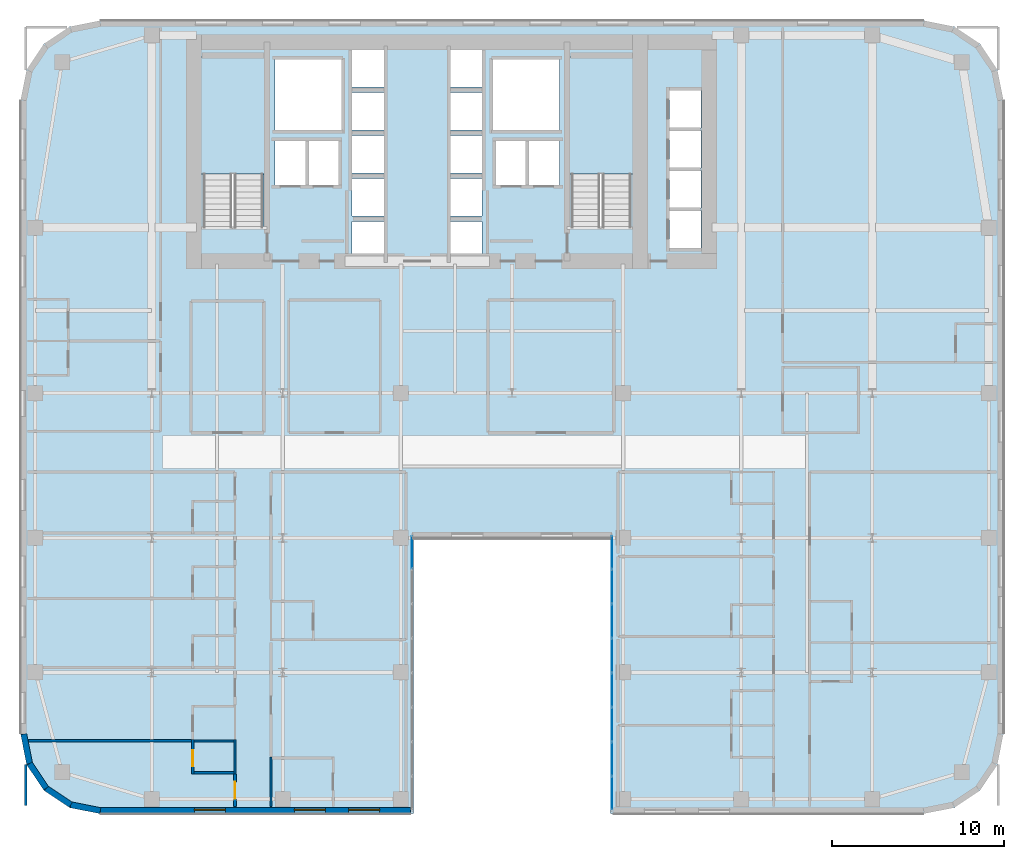
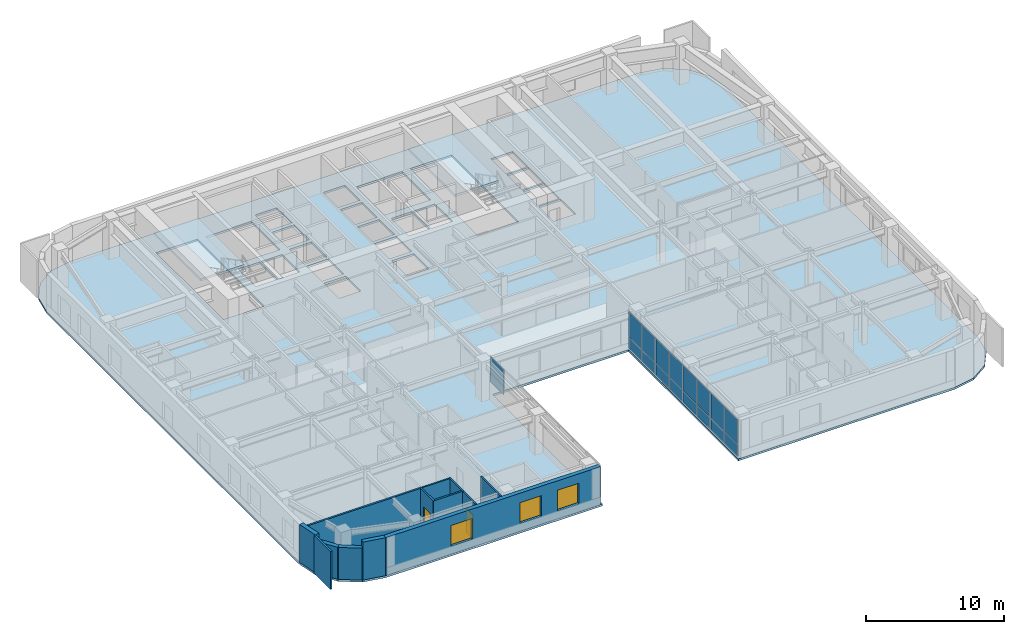
# One storey, part 13 of 24: 17 plates, 13 walls, 3 slabs, 3 windows, 2 doors, 5 openings, 4 elements without a shape of their own.
"""IFC4 building model written with IfcOpenShell, lengths in metres."""

import ifcopenshell
import ifcopenshell.guid

model = None  # the IFC model being written
_history = None  # IfcOwnerHistory: only IFC2X3 demands one
_inside = {}  # id of a spatial element -> (the spatial element, [elements in it])
_under = {}  # id of a project, library or spatial element -> (it, [spatial elements below it])
_declared = {}  # id of a project -> (the project, [libraries it declares])
_typed = {}  # id of a type object -> (the type object, [elements of that type])
_made_of = {}  # id of a material, layer set ... -> (it, [elements and type objects made of it])


def new_model(schema):
    """Start an empty IFC model of exactly this schema.

    Asked for "IFC4X3", IfcOpenShell would pick the latest addendum, in which some entities
    have other attributes; the version numbers below select the first issue.
    IFC2X3 requires an IfcOwnerHistory on every rooted entity: one is made here for all.
    """
    global model, _history
    if schema == "IFC4X3":
        model = ifcopenshell.file(schema_version=(4, 3, 0, 0))
    else:
        model = ifcopenshell.file(schema=schema)
    _inside.clear()
    _under.clear()
    _declared.clear()
    _typed.clear()
    _made_of.clear()
    _history = None
    if model.schema == "IFC2X3":
        org = make("IfcOrganization", Name="unknown")
        user = make(
            "IfcPersonAndOrganization",
            ThePerson=make("IfcPerson", FamilyName="unknown"),
            TheOrganization=org,
        )
        app = make(
            "IfcApplication",
            ApplicationDeveloper=org,
            Version="unknown",
            ApplicationFullName="unknown",
            ApplicationIdentifier="unknown",
        )
        _history = make(
            "IfcOwnerHistory",
            OwningUser=user,
            OwningApplication=app,
            ChangeAction="ADDED",
            CreationDate=0,
        )
    return model


def make(cls, **values):
    """One entity of the class cls with the attributes given. An attribute that is None is left unset."""
    return model.create_entity(
        cls, **{name: value for name, value in values.items() if value is not None}
    )


def rooted(cls, **values):
    """An entity with a GlobalId (a new one), such as an element, a storey or a relation."""
    return make(cls, GlobalId=ifcopenshell.guid.new(), OwnerHistory=_history, **values)


def si_unit(unit_type, name, prefix=None):
    """IfcSIUnit, for example si_unit("LENGTHUNIT", "METRE", prefix="MILLI")."""
    return make("IfcSIUnit", UnitType=unit_type, Prefix=prefix, Name=name)


def assignment(units):
    """IfcUnitAssignment: the units of a project."""
    return None if units is None else make("IfcUnitAssignment", Units=units)


def point(xyz):
    """IfcCartesianPoint."""
    return None if xyz is None else make("IfcCartesianPoint", Coordinates=xyz)


def direction(xyz):
    """IfcDirection."""
    return None if xyz is None else make("IfcDirection", DirectionRatios=xyz)


def frame(location, z_axis=None, x_axis=None):
    """IfcAxis2Placement3D, a coordinate frame: its origin and axes. An axis left out is left unset."""
    return make(
        "IfcAxis2Placement3D",
        Location=point(location),
        Axis=direction(z_axis),
        RefDirection=direction(x_axis),
    )


def frame_2d(location, x_axis=None):
    """IfcAxis2Placement2D, a coordinate frame in the plane: its origin and x axis."""
    return make(
        "IfcAxis2Placement2D", Location=point(location), RefDirection=direction(x_axis)
    )


def origin():
    """The frame at (0, 0, 0) with its axes left unset."""
    return frame((0.0, 0.0, 0.0))


def origin_2d():
    """The frame at (0, 0) in the plane with its x axis left unset."""
    return frame_2d((0.0, 0.0))


def place(relative_to, where):
    """IfcLocalPlacement: puts the frame where relative to a parent placement (None: the world)."""
    return make(
        "IfcLocalPlacement", PlacementRelTo=relative_to, RelativePlacement=where
    )


def context(
    kind, dimensions, precision=None, world=None, true_north=None, identifier=None
):
    """IfcGeometricRepresentationContext, for example the 3D "Model" context."""
    return make(
        "IfcGeometricRepresentationContext",
        ContextIdentifier=identifier,
        ContextType=kind,
        CoordinateSpaceDimension=dimensions,
        Precision=precision,
        WorldCoordinateSystem=world,
        TrueNorth=true_north,
    )


def subcontext(parent, identifier, kind, view, scale=None):
    """IfcGeometricRepresentationSubContext, for example "Body" below "Model"."""
    return make(
        "IfcGeometricRepresentationSubContext",
        ContextIdentifier=identifier,
        ContextType=kind,
        ParentContext=parent,
        TargetScale=scale,
        TargetView=view,
    )


def project(units=None, contexts=None):
    """IfcProject with its units and contexts."""
    return rooted(
        "IfcProject",
        Name="project",
        RepresentationContexts=contexts,
        UnitsInContext=assignment(units),
    )


def spatial(cls, under=None, at=None, **own):
    """A site, building, storey or space (cls), placed at a placement, below another one or the project."""
    s = rooted(cls, ObjectPlacement=at, **own)
    if under is not None:
        _under.setdefault(under.id(), (under, []))[1].append(s)
    return s


def polyline(points):
    """IfcPolyline through the points."""
    return make("IfcPolyline", Points=[point(p) for p in points])


def profile(cls, at=None, kind="AREA", **sizes):
    """A parametric profile (cls). Its sizes go by their IFC names, for example OverallWidth=200.0."""
    return make(cls, ProfileType=kind, Position=at, **sizes)


def rectangle(**sizes):
    """IfcRectangleProfileDef."""
    return profile("IfcRectangleProfileDef", **sizes)


def outline(outer, holes=None, kind="AREA"):
    """IfcArbitraryClosedProfileDef: a profile drawn as a closed curve; with holes, ...WithVoids."""
    if holes is None:
        return make("IfcArbitraryClosedProfileDef", ProfileType=kind, OuterCurve=outer)
    return make(
        "IfcArbitraryProfileDefWithVoids",
        ProfileType=kind,
        OuterCurve=outer,
        InnerCurves=holes,
    )


def extrude(swept, where, along, depth):
    """IfcExtrudedAreaSolid: the profile swept, set in the frame where, extruded along a direction by depth."""
    return make(
        "IfcExtrudedAreaSolid",
        SweptArea=swept,
        Position=where,
        ExtrudedDirection=direction(along),
        Depth=depth,
    )


def shape(context_of_items, identifier, shape_type, items):
    """IfcShapeRepresentation: the items that make up one representation, for example the "Body"."""
    return make(
        "IfcShapeRepresentation",
        ContextOfItems=context_of_items,
        RepresentationIdentifier=identifier,
        RepresentationType=shape_type,
        Items=items,
    )


def source(mapping_origin, context_of_items, identifier, shape_type, items):
    """IfcRepresentationMap: a shape defined once, which mapped items show again and again."""
    return make(
        "IfcRepresentationMap",
        MappingOrigin=mapping_origin,
        MappedRepresentation=shape(context_of_items, identifier, shape_type, items),
    )


def transform(
    local_origin,
    x_axis=None,
    y_axis=None,
    z_axis=None,
    scale=None,
    scale2=None,
    scale3=None,
    uniform=True,
):
    """IfcCartesianTransformationOperator3D, or its non-uniform kind. x_axis, y_axis, z_axis: its Axis1, 2, 3."""
    if uniform:
        return make(
            "IfcCartesianTransformationOperator3D",
            Axis1=direction(x_axis),
            Axis2=direction(y_axis),
            LocalOrigin=point(local_origin),
            Scale=scale,
            Axis3=direction(z_axis),
        )
    return make(
        "IfcCartesianTransformationOperator3DnonUniform",
        Axis1=direction(x_axis),
        Axis2=direction(y_axis),
        LocalOrigin=point(local_origin),
        Scale=scale,
        Axis3=direction(z_axis),
        Scale2=scale2,
        Scale3=scale3,
    )


def mapped(mapping_source, mapping_target):
    """IfcMappedItem: shows the shape of a source again, moved by a transform."""
    return make(
        "IfcMappedItem", MappingSource=mapping_source, MappingTarget=mapping_target
    )


def material(Name=None, Category=None):
    """IfcMaterial."""
    return make("IfcMaterial", Name=Name, Category=Category)


def layer(
    of_material, thickness, ventilated=None, Name=None, Category=None, Priority=None
):
    """IfcMaterialLayer: one layer of a wall or slab, of a material (None: an air gap)."""
    return make(
        "IfcMaterialLayer",
        Material=of_material,
        LayerThickness=thickness,
        IsVentilated=ventilated,
        Name=Name,
        Category=Category,
        Priority=Priority,
    )


def layer_set(layers, Name=None):
    """IfcMaterialLayerSet."""
    return make("IfcMaterialLayerSet", MaterialLayers=layers, LayerSetName=Name)


def made_of(thing, what):
    """Note that an element or type object is made of a material, layer set ...; save() writes the relation."""
    if what is not None:
        _made_of.setdefault(what.id(), (what, []))[1].append(thing)
    return thing


def type_object(cls, material=None, **own):
    """A type object (cls), such as IfcWallType, which elements share."""
    return made_of(rooted(cls, **own), material)


def type_shapes(of_type, sources):
    """Give a type object the sources (RepresentationMaps) that its elements show as mapped items."""
    of_type.RepresentationMaps = sources


def element(
    cls,
    number,
    at=None,
    inside=None,
    cuts=None,
    type_object=None,
    material=None,
    context=None,
    identifier="Body",
    shape_type=None,
    held_by="IfcProductDefinitionShape",
    body=None,
    shapes=None,
    **own,
):
    """One element of the class cls, such as IfcWall. Its Tag is "e" and its number.

    at: its placement. inside: the storey or other place that contains it. cuts: it is an
    opening in that element (IfcRelVoidsElement). A single representation is given by context,
    identifier, shape_type and body (its items); several are given by shapes. held_by: the class
    of the entity that holds the representations. save() writes the other relations.
    """
    e = rooted(cls, Tag="e%d" % number, ObjectPlacement=at, **own)
    if body is not None:
        shapes = [shape(context, identifier, shape_type, body)]
    if shapes is not None:
        e.Representation = make(held_by, Representations=shapes)
    if inside is not None:
        _inside.setdefault(inside.id(), (inside, []))[1].append(e)
    if cuts is not None:
        rooted(
            "IfcRelVoidsElement", RelatingBuildingElement=cuts, RelatedOpeningElement=e
        )
    if type_object is not None:
        _typed.setdefault(type_object.id(), (type_object, []))[1].append(e)
    return made_of(e, material)


def fill(opening, filler):
    """IfcRelFillsElement: the door or window that sits in an opening."""
    return rooted(
        "IfcRelFillsElement",
        RelatingOpeningElement=opening,
        RelatedBuildingElement=filler,
    )


def aggregate(whole, parts):
    """IfcRelAggregates: a whole, such as a stair, and the parts it consists of."""
    return rooted("IfcRelAggregates", RelatingObject=whole, RelatedObjects=parts)


def save(model, path):
    """Write the relations noted so far, then the file.

    IfcRelAggregates (storeys below a building ...), IfcRelContainedInSpatialStructure (elements
    in a storey), IfcRelDefinesByType, IfcRelAssociatesMaterial and IfcRelDeclares: one each for
    every whole, place, type object, material and project.
    """
    for whole, parts in _under.values():
        aggregate(whole, parts)
    for where, things in _inside.values():
        rooted(
            "IfcRelContainedInSpatialStructure",
            RelatedElements=things,
            RelatingStructure=where,
        )
    for kind, things in _typed.values():
        rooted("IfcRelDefinesByType", RelatedObjects=things, RelatingType=kind)
    for what, things in _made_of.values():
        rooted("IfcRelAssociatesMaterial", RelatedObjects=things, RelatingMaterial=what)
    for by, libraries in _declared.values():
        rooted("IfcRelDeclares", RelatingContext=by, RelatedDefinitions=libraries)
    model.write(path)


model = new_model("IFC4")

# Units and contexts
model_context = context("Model", 3, precision=1e-05, world=origin(), true_north=direction((0.0, 1.0)))
body_context = subcontext(model_context, "Body", "Model", "MODEL_VIEW")
ifc_project = project(units=[si_unit("LENGTHUNIT", "METRE"), si_unit("AREAUNIT", "SQUARE_METRE"), si_unit("VOLUMEUNIT", "CUBIC_METRE"), si_unit("PLANEANGLEUNIT", "RADIAN"), si_unit("MASSUNIT", "GRAM", prefix="KILO")], contexts=[model_context])

# Site, building, storey
site_placement = place(None, origin())
site = spatial("IfcSite", under=ifc_project, at=site_placement, CompositionType="ELEMENT")
building_placement = place(site_placement, origin())
building = spatial("IfcBuilding", under=site, at=building_placement, Name="Tolvann Quenvar Hotel", CompositionType="ELEMENT")
storey_placement = place(building_placement, frame((0.0, 0.0, 81.699951171875)))
storey = spatial("IfcBuildingStorey", under=building, at=storey_placement, Name="L20", CompositionType="ELEMENT", Elevation=81.699951171875)

# Stair, slab
ifc_material_1 = material(Name="Concrete N40 (40 MPa)", Category="concrete")
stair_type = type_object("IfcStairType", Name="STAIR", PredefinedType="HALF_TURN_STAIR", material=ifc_material_1)
stair_1_placement = place(storey_placement, origin())
stair_1 = element("IfcStair", 1, at=stair_1_placement, inside=storey, type_object=stair_type, Name="L20 ST-C1", PredefinedType="HALF_TURN_STAIR")
ifc_layer_1 = layer(ifc_material_1, 0.199951171875)
ifc_layer_set_1 = layer_set([ifc_layer_1], Name="Concrete N40 (40 MPa)")
slab_type_1 = type_object("IfcSlabType", Name="SLAB_LANDING", PredefinedType="LANDING", material=ifc_layer_set_1)
slab_1_placement = place(storey_placement, frame((0.0, 0.0, 1.574951171875)))
slab_1 = element("IfcSlab", 2, at=slab_1_placement, type_object=slab_type_1, Name="ST-C1 landing 1", PredefinedType="LANDING", context=body_context, shape_type="SweptSolid", body=[
    extrude(outline(polyline([(14.179931640625, 37.10498046875), (14.179931640625, 43.8798828125), (10.469970703125, 43.8798828125), (10.469970703125, 37.10498046875), (14.179931640625, 37.10498046875)])), origin(), (0.0, 0.0, 1.0), 0.2001953125),
])
aggregate(stair_1, [slab_1])

stair_2_placement = place(storey_placement, origin())
stair_2 = element("IfcStair", 3, at=stair_2_placement, inside=storey, type_object=stair_type, Name="L20 ST-C2", PredefinedType="HALF_TURN_STAIR")
slab_2_placement = place(storey_placement, frame((0.0, 0.0, 1.574951171875)))
slab_2 = element("IfcSlab", 4, at=slab_2_placement, type_object=slab_type_1, Name="ST-C2 landing 1", PredefinedType="LANDING", context=body_context, shape_type="SweptSolid", body=[
    extrude(outline(polyline([(35.530029296875, 37.10498046875), (35.530029296875, 43.8798828125), (31.820068359375, 43.8798828125), (31.820068359375, 37.10498046875), (35.530029296875, 37.10498046875)])), origin(), (0.0, 0.0, 1.0), 0.2001953125),
])
aggregate(stair_2, [slab_2])

# Slab
ifc_layer_2 = layer(ifc_material_1, 0.179931640625)
ifc_layer_set_2 = layer_set([ifc_layer_2], Name="Concrete N40 (40 MPa)")
slab_type_2 = type_object("IfcSlabType", Name="SLAB_TWR_180", PredefinedType="FLOOR", material=ifc_layer_set_2)
slab_3_placement = place(storey_placement, frame((0.0, 0.0, -0.179931640625)))
element("IfcSlab", 5, at=slab_3_placement, inside=storey, type_object=slab_type_2, Name="Level L20 Structural Floor Slab", PredefinedType="FLOOR", context=body_context, shape_type="SweptSolid", body=[
    extrude(outline(polyline([(0.0, 4.60009765625), (0.35009765625, 2.839599609375), (1.347412109375, 1.347412109375), (2.839599609375, 0.35009765625), (4.60009765625, 0.0), (22.800048828125, 0.0), (22.800048828125, 16.0), (34.199951171875, 16.0), (34.199951171875, 0.0), (52.39990234375, 0.0), (54.160400390625, 0.35009765625), (55.652587890625, 1.347412109375), (56.64990234375, 2.839599609375), (57.0, 4.60009765625), (57.0, 41.39990234375), (56.64990234375, 43.160400390625), (55.652587890625, 44.652587890625), (54.160400390625, 45.64990234375), (52.39990234375, 46.0), (4.60009765625, 46.0), (2.839599609375, 45.64990234375), (1.347412109375, 44.652587890625), (0.35009765625, 43.160400390625), (0.0, 41.39990234375), (0.0, 4.60009765625)]), holes=[polyline([(37.6298828125, 41.949951171875), (39.469970703125, 41.949951171875), (39.469970703125, 39.77001953125), (37.6298828125, 39.77001953125), (37.6298828125, 41.949951171875)]), polyline([(37.6298828125, 39.6298828125), (39.469970703125, 39.6298828125), (39.469970703125, 37.449951171875), (37.6298828125, 37.449951171875), (37.6298828125, 39.6298828125)]), polyline([(37.6298828125, 37.31005859375), (39.469970703125, 37.31005859375), (39.469970703125, 35.1298828125), (37.6298828125, 35.1298828125), (37.6298828125, 37.31005859375)]), polyline([(37.6298828125, 34.989990234375), (39.469970703125, 34.989990234375), (39.469970703125, 32.81005859375), (37.6298828125, 32.81005859375), (37.6298828125, 34.989990234375)]), polyline([(31.949951171875, 43.800048828125), (35.39990234375, 43.800048828125), (35.39990234375, 34.02490234375), (31.949951171875, 34.02490234375), (31.949951171875, 43.800048828125)]), polyline([(31.25, 39.02001953125), (31.25, 36.47998046875), (29.449951171875, 36.47998046875), (29.449951171875, 39.02001953125), (31.25, 39.02001953125)]), polyline([(31.25, 43.75), (31.25, 39.64990234375), (27.39990234375, 39.64990234375), (27.39990234375, 43.75), (31.25, 43.75)]), polyline([(27.574951171875, 39.02001953125), (29.324951171875, 39.02001953125), (29.324951171875, 36.47998046875), (27.574951171875, 36.47998046875), (27.574951171875, 39.02001953125)]), polyline([(26.77001953125, 36.840087890625), (26.77001953125, 34.659912109375), (24.929931640625, 34.659912109375), (24.929931640625, 36.840087890625), (26.77001953125, 36.840087890625)]), polyline([(26.77001953125, 44.340087890625), (26.77001953125, 42.159912109375), (24.929931640625, 42.159912109375), (24.929931640625, 44.340087890625), (26.77001953125, 44.340087890625)]), polyline([(26.77001953125, 41.840087890625), (26.77001953125, 39.659912109375), (24.929931640625, 39.659912109375), (24.929931640625, 41.840087890625), (26.77001953125, 41.840087890625)]), polyline([(26.77001953125, 39.340087890625), (26.77001953125, 37.159912109375), (24.929931640625, 37.159912109375), (24.929931640625, 39.340087890625), (26.77001953125, 39.340087890625)]), polyline([(24.929931640625, 34.340087890625), (26.77001953125, 34.340087890625), (26.77001953125, 32.159912109375), (24.929931640625, 32.159912109375), (24.929931640625, 34.340087890625)]), polyline([(21.070068359375, 44.340087890625), (21.070068359375, 42.159912109375), (19.22998046875, 42.159912109375), (19.22998046875, 44.340087890625), (21.070068359375, 44.340087890625)]), polyline([(19.22998046875, 41.840087890625), (21.070068359375, 41.840087890625), (21.070068359375, 39.659912109375), (19.22998046875, 39.659912109375), (19.22998046875, 41.840087890625)]), polyline([(21.070068359375, 39.340087890625), (21.070068359375, 37.159912109375), (19.22998046875, 37.159912109375), (19.22998046875, 39.340087890625), (21.070068359375, 39.340087890625)]), polyline([(19.22998046875, 36.840087890625), (21.070068359375, 36.840087890625), (21.070068359375, 34.659912109375), (19.22998046875, 34.659912109375), (19.22998046875, 36.840087890625)]), polyline([(19.22998046875, 34.340087890625), (21.070068359375, 34.340087890625), (21.070068359375, 32.159912109375), (19.22998046875, 32.159912109375), (19.22998046875, 34.340087890625)]), polyline([(18.60009765625, 43.75), (18.60009765625, 39.64990234375), (14.75, 39.64990234375), (14.75, 43.75), (18.60009765625, 43.75)]), polyline([(16.675048828125, 39.02001953125), (18.425048828125, 39.02001953125), (18.425048828125, 36.47998046875), (16.675048828125, 36.47998046875), (16.675048828125, 39.02001953125)]), polyline([(16.550048828125, 39.02001953125), (16.550048828125, 36.47998046875), (14.75, 36.47998046875), (14.75, 39.02001953125), (16.550048828125, 39.02001953125)]), polyline([(10.60009765625, 43.800048828125), (14.050048828125, 43.800048828125), (14.050048828125, 34.02490234375), (10.60009765625, 34.02490234375), (10.60009765625, 43.800048828125)])]), origin(), (0.0, 0.0, 1.0), 0.179931640625),
])

# Curtain wall, plates
ifc_material_2 = material(Name="Thermally broken anodised architectural aluminium 6063-T6 and laminated low-E glass", Category="aluminium")
ifc_layer_3 = layer(ifc_material_2, 0.179931640625)
ifc_layer_set_3 = layer_set([ifc_layer_3], Name="Thermally broken anodised architectural aluminium 6063-T6 and laminated low-E glass")
curtain_wall_type = type_object("IfcCurtainWallType", Name="CW_SYS_SLOT_03", PredefinedType="USERDEFINED", material=ifc_layer_set_3)
curtain_wall_1_placement = place(storey_placement, origin())
curtain_wall_1 = element("IfcCurtainWall", 6, at=curtain_wall_1_placement, inside=storey, type_object=curtain_wall_type, Name="Curtain Wall CW-SLOT-03 (CWR-L20-E07)", ObjectType="UNITISED CURTAIN WALL", PredefinedType="USERDEFINED")
ifc_material_3 = material(Name="Low-iron laminated double glazing with solar-control coating", Category="glass")
ifc_layer_4 = layer(ifc_material_3, 0.028076171875)
ifc_layer_set_4 = layer_set([ifc_layer_4], Name="Low-iron laminated double glazing with solar-control coating")
plate_type = type_object("IfcPlateType", Name="CW_PAN_VISION_28", PredefinedType="CURTAIN_PANEL", material=ifc_layer_set_4)
shared_shape_1 = source(origin(), body_context, "Body", "SweptSolid", [
    extrude(rectangle(XDim=1.89501953125, YDim=0.028076171875, at=origin_2d()), origin(), (0.0, 0.0, 1.0), 0.9599609375),
])
plate_1_placement = place(storey_placement, frame((34.2900390625, 15.157470703125, 0.06005859375), z_axis=(0.0, 0.0, 1.0), x_axis=(0.0, -1.0, 0.0)))
plate_1 = element("IfcPlate", 7, at=plate_1_placement, type_object=plate_type, Name="CW-SLOT-03 panel 1.1", PredefinedType="CURTAIN_PANEL", context=body_context, shape_type="MappedRepresentation", body=[
    mapped(shared_shape_1, transform((0.0, 0.0, 0.0), x_axis=(1.0, 0.0, 0.0), y_axis=(0.0, 1.0, 0.0), z_axis=(0.0, 0.0, 1.0), scale=1.0)),
])
plate_2_placement = place(storey_placement, frame((34.2900390625, 1.1923828125, 0.06005859375), z_axis=(0.0, 0.0, 1.0), x_axis=(0.0, -1.0, 0.0)))
plate_2 = element("IfcPlate", 8, at=plate_2_placement, type_object=plate_type, Name="CW-SLOT-03 panel 8.1", PredefinedType="CURTAIN_PANEL", context=body_context, shape_type="MappedRepresentation", body=[
    mapped(shared_shape_1, transform((0.0, 0.0, 0.0), x_axis=(1.0, 0.0, 0.0), y_axis=(0.0, 1.0, 0.0), z_axis=(0.0, 0.0, 1.0), scale=1.0)),
])

# Curtain wall, plate
curtain_wall_2_placement = place(storey_placement, origin())
curtain_wall_2 = element("IfcCurtainWall", 9, at=curtain_wall_2_placement, inside=storey, type_object=curtain_wall_type, Name="Curtain Wall CW-SLOT-03 (CWR-L20-E05)", ObjectType="UNITISED CURTAIN WALL", PredefinedType="USERDEFINED")
shared_shape_2 = source(origin(), body_context, "Body", "SweptSolid", [
    extrude(rectangle(XDim=1.89501953125, YDim=0.028076171875, at=origin_2d()), origin(), (0.0, 0.0, 1.0), 2.22998046875),
])
plate_3_placement = place(storey_placement, frame((22.7099609375, 15.157470703125, 1.080078125), z_axis=(0.0, 0.0, 1.0), x_axis=(0.0, 1.0, 0.0)))
plate_3 = element("IfcPlate", 10, at=plate_3_placement, type_object=plate_type, Name="CW-SLOT-03 panel 8.2", PredefinedType="CURTAIN_PANEL", context=body_context, shape_type="MappedRepresentation", body=[
    mapped(shared_shape_2, transform((0.0, 0.0, 0.0), x_axis=(1.0, 0.0, 0.0), y_axis=(0.0, 1.0, 0.0), z_axis=(0.0, 0.0, 1.0), scale=1.0)),
])
aggregate(curtain_wall_2, [plate_3])

# Plate
plate_4_placement = place(storey_placement, frame((34.2900390625, 15.157470703125, 1.080078125), z_axis=(0.0, 0.0, 1.0), x_axis=(0.0, -1.0, 0.0)))
plate_4 = element("IfcPlate", 11, at=plate_4_placement, type_object=plate_type, Name="CW-SLOT-03 panel 1.2", PredefinedType="CURTAIN_PANEL", context=body_context, shape_type="MappedRepresentation", body=[
    mapped(shared_shape_2, transform((0.0, 0.0, 0.0), x_axis=(1.0, 0.0, 0.0), y_axis=(0.0, 1.0, 0.0), z_axis=(0.0, 0.0, 1.0), scale=1.0)),
])

plate_5_placement = place(storey_placement, frame((34.2900390625, 1.1923828125, 1.080078125), z_axis=(0.0, 0.0, 1.0), x_axis=(0.0, -1.0, 0.0)))
plate_5 = element("IfcPlate", 12, at=plate_5_placement, type_object=plate_type, Name="CW-SLOT-03 panel 8.2", PredefinedType="CURTAIN_PANEL", context=body_context, shape_type="MappedRepresentation", body=[
    mapped(shared_shape_2, transform((0.0, 0.0, 0.0), x_axis=(1.0, 0.0, 0.0), y_axis=(0.0, 1.0, 0.0), z_axis=(0.0, 0.0, 1.0), scale=1.0)),
])

shared_shape_3 = source(origin(), body_context, "Body", "SweptSolid", [
    extrude(rectangle(XDim=1.929931640625, YDim=0.028076171875, at=origin_2d()), origin(), (0.0, 0.0, 1.0), 0.9599609375),
])
plate_6_placement = place(storey_placement, frame((34.2900390625, 13.175048828125, 0.06005859375), z_axis=(0.0, 0.0, 1.0), x_axis=(0.0, -1.0, 0.0)))
plate_6 = element("IfcPlate", 13, at=plate_6_placement, type_object=plate_type, Name="CW-SLOT-03 panel 2.1", PredefinedType="CURTAIN_PANEL", context=body_context, shape_type="MappedRepresentation", body=[
    mapped(shared_shape_3, transform((0.0, 0.0, 0.0), x_axis=(1.0, 0.0, 0.0), y_axis=(0.0, 1.0, 0.0), z_axis=(0.0, 0.0, 1.0), scale=1.0)),
])

plate_7_placement = place(storey_placement, frame((34.2900390625, 11.175048828125, 0.06005859375), z_axis=(0.0, 0.0, 1.0), x_axis=(0.0, -1.0, 0.0)))
plate_7 = element("IfcPlate", 14, at=plate_7_placement, type_object=plate_type, Name="CW-SLOT-03 panel 3.1", PredefinedType="CURTAIN_PANEL", context=body_context, shape_type="MappedRepresentation", body=[
    mapped(shared_shape_3, transform((0.0, 0.0, 0.0), x_axis=(1.0, 0.0, 0.0), y_axis=(0.0, 1.0, 0.0), z_axis=(0.0, 0.0, 1.0), scale=1.0)),
])

plate_8_placement = place(storey_placement, frame((34.2900390625, 9.175048828125, 0.06005859375), z_axis=(0.0, 0.0, 1.0), x_axis=(0.0, -1.0, 0.0)))
plate_8 = element("IfcPlate", 15, at=plate_8_placement, type_object=plate_type, Name="CW-SLOT-03 panel 4.1", PredefinedType="CURTAIN_PANEL", context=body_context, shape_type="MappedRepresentation", body=[
    mapped(shared_shape_3, transform((0.0, 0.0, 0.0), x_axis=(1.0, 0.0, 0.0), y_axis=(0.0, 1.0, 0.0), z_axis=(0.0, 0.0, 1.0), scale=1.0)),
])

plate_9_placement = place(storey_placement, frame((34.2900390625, 7.175048828125, 0.06005859375), z_axis=(0.0, 0.0, 1.0), x_axis=(0.0, -1.0, 0.0)))
plate_9 = element("IfcPlate", 16, at=plate_9_placement, type_object=plate_type, Name="CW-SLOT-03 panel 5.1", PredefinedType="CURTAIN_PANEL", context=body_context, shape_type="MappedRepresentation", body=[
    mapped(shared_shape_3, transform((0.0, 0.0, 0.0), x_axis=(1.0, 0.0, 0.0), y_axis=(0.0, 1.0, 0.0), z_axis=(0.0, 0.0, 1.0), scale=1.0)),
])

plate_10_placement = place(storey_placement, frame((34.2900390625, 5.175048828125, 0.06005859375), z_axis=(0.0, 0.0, 1.0), x_axis=(0.0, -1.0, 0.0)))
plate_10 = element("IfcPlate", 17, at=plate_10_placement, type_object=plate_type, Name="CW-SLOT-03 panel 6.1", PredefinedType="CURTAIN_PANEL", context=body_context, shape_type="MappedRepresentation", body=[
    mapped(shared_shape_3, transform((0.0, 0.0, 0.0), x_axis=(1.0, 0.0, 0.0), y_axis=(0.0, 1.0, 0.0), z_axis=(0.0, 0.0, 1.0), scale=1.0)),
])

plate_11_placement = place(storey_placement, frame((34.2900390625, 3.175048828125, 0.06005859375), z_axis=(0.0, 0.0, 1.0), x_axis=(0.0, -1.0, 0.0)))
plate_11 = element("IfcPlate", 18, at=plate_11_placement, type_object=plate_type, Name="CW-SLOT-03 panel 7.1", PredefinedType="CURTAIN_PANEL", context=body_context, shape_type="MappedRepresentation", body=[
    mapped(shared_shape_3, transform((0.0, 0.0, 0.0), x_axis=(1.0, 0.0, 0.0), y_axis=(0.0, 1.0, 0.0), z_axis=(0.0, 0.0, 1.0), scale=1.0)),
])

shared_shape_4 = source(origin(), body_context, "Body", "SweptSolid", [
    extrude(rectangle(XDim=1.929931640625, YDim=0.028076171875, at=origin_2d()), origin(), (0.0, 0.0, 1.0), 2.22998046875),
])
type_shapes(plate_type, [shared_shape_1, shared_shape_2, shared_shape_3, shared_shape_4])
plate_12_placement = place(storey_placement, frame((34.2900390625, 13.175048828125, 1.080078125), z_axis=(0.0, 0.0, 1.0), x_axis=(0.0, -1.0, 0.0)))
plate_12 = element("IfcPlate", 19, at=plate_12_placement, type_object=plate_type, Name="CW-SLOT-03 panel 2.2", PredefinedType="CURTAIN_PANEL", context=body_context, shape_type="MappedRepresentation", body=[
    mapped(shared_shape_4, transform((0.0, 0.0, 0.0), x_axis=(1.0, 0.0, 0.0), y_axis=(0.0, 1.0, 0.0), z_axis=(0.0, 0.0, 1.0), scale=1.0)),
])

plate_13_placement = place(storey_placement, frame((34.2900390625, 11.175048828125, 1.080078125), z_axis=(0.0, 0.0, 1.0), x_axis=(0.0, -1.0, 0.0)))
plate_13 = element("IfcPlate", 20, at=plate_13_placement, type_object=plate_type, Name="CW-SLOT-03 panel 3.2", PredefinedType="CURTAIN_PANEL", context=body_context, shape_type="MappedRepresentation", body=[
    mapped(shared_shape_4, transform((0.0, 0.0, 0.0), x_axis=(1.0, 0.0, 0.0), y_axis=(0.0, 1.0, 0.0), z_axis=(0.0, 0.0, 1.0), scale=1.0)),
])

plate_14_placement = place(storey_placement, frame((34.2900390625, 9.175048828125, 1.080078125), z_axis=(0.0, 0.0, 1.0), x_axis=(0.0, -1.0, 0.0)))
plate_14 = element("IfcPlate", 21, at=plate_14_placement, type_object=plate_type, Name="CW-SLOT-03 panel 4.2", PredefinedType="CURTAIN_PANEL", context=body_context, shape_type="MappedRepresentation", body=[
    mapped(shared_shape_4, transform((0.0, 0.0, 0.0), x_axis=(1.0, 0.0, 0.0), y_axis=(0.0, 1.0, 0.0), z_axis=(0.0, 0.0, 1.0), scale=1.0)),
])

plate_15_placement = place(storey_placement, frame((34.2900390625, 7.175048828125, 1.080078125), z_axis=(0.0, 0.0, 1.0), x_axis=(0.0, -1.0, 0.0)))
plate_15 = element("IfcPlate", 22, at=plate_15_placement, type_object=plate_type, Name="CW-SLOT-03 panel 5.2", PredefinedType="CURTAIN_PANEL", context=body_context, shape_type="MappedRepresentation", body=[
    mapped(shared_shape_4, transform((0.0, 0.0, 0.0), x_axis=(1.0, 0.0, 0.0), y_axis=(0.0, 1.0, 0.0), z_axis=(0.0, 0.0, 1.0), scale=1.0)),
])

plate_16_placement = place(storey_placement, frame((34.2900390625, 5.175048828125, 1.080078125), z_axis=(0.0, 0.0, 1.0), x_axis=(0.0, -1.0, 0.0)))
plate_16 = element("IfcPlate", 23, at=plate_16_placement, type_object=plate_type, Name="CW-SLOT-03 panel 6.2", PredefinedType="CURTAIN_PANEL", context=body_context, shape_type="MappedRepresentation", body=[
    mapped(shared_shape_4, transform((0.0, 0.0, 0.0), x_axis=(1.0, 0.0, 0.0), y_axis=(0.0, 1.0, 0.0), z_axis=(0.0, 0.0, 1.0), scale=1.0)),
])

plate_17_placement = place(storey_placement, frame((34.2900390625, 3.175048828125, 1.080078125), z_axis=(0.0, 0.0, 1.0), x_axis=(0.0, -1.0, 0.0)))
plate_17 = element("IfcPlate", 24, at=plate_17_placement, type_object=plate_type, Name="CW-SLOT-03 panel 7.2", PredefinedType="CURTAIN_PANEL", context=body_context, shape_type="MappedRepresentation", body=[
    mapped(shared_shape_4, transform((0.0, 0.0, 0.0), x_axis=(1.0, 0.0, 0.0), y_axis=(0.0, 1.0, 0.0), z_axis=(0.0, 0.0, 1.0), scale=1.0)),
])

aggregate(curtain_wall_1, [plate_1, plate_4, plate_6, plate_12, plate_7, plate_13, plate_8, plate_14, plate_9, plate_15, plate_10, plate_16, plate_11, plate_17, plate_2, plate_5])

# Walls
ifc_material_4 = material(Name="Kiln-fired red and buff architectural clay brickwork and terracotta masonry", Category="masonry")
ifc_layer_5 = layer(ifc_material_4, 0.35009765625)
ifc_layer_set_5 = layer_set([ifc_layer_5], Name="Kiln-fired red and buff architectural clay brickwork and terracotta masonry")
wall_type_1 = type_object("IfcWallType", Name="WALL_EXT_BRICK_350", PredefinedType="SOLIDWALL", material=ifc_layer_set_5)
for number, where, z_axis, x_axis, name in (
    (25, (0.514892578125, 2.907958984375, 0.0), (0.0, 0.0, 1.0), (0.55554893791, -0.831483840845, 0.0), "Exterior Chicago Brick Wall L20-E01"),
    (26, (1.473388671875, 1.473388671875, 0.0), (0.0, 0.0, 1.0), (0.831483840845, -0.55554893791, 0.0), "Exterior Chicago Brick Wall L20-E02"),
):
    element("IfcWall", number, at=place(storey_placement, frame(where, z_axis=z_axis, x_axis=x_axis)), inside=storey, type_object=wall_type_1, Name=name, PredefinedType="SOLIDWALL", context=body_context, shape_type="SweptSolid", body=[
        extrude(rectangle(XDim=1.725341796875, YDim=0.35009765625, at=frame_2d((0.86279296875, 0.0))), origin(), (0.0, 0.0, 1.0), 2.83203125),
    ])
wall_1_placement = place(storey_placement, frame((2.907958984375, 0.514892578125, 0.0), z_axis=(0.0, 0.0, 1.0), x_axis=(0.980800971659, -0.195011420161, 0.0)))
element("IfcWall", 27, at=wall_1_placement, inside=storey, type_object=wall_type_1, Name="Exterior Chicago Brick Wall L20-E03", PredefinedType="SOLIDWALL", context=body_context, shape_type="SweptSolid", body=[
    extrude(rectangle(XDim=1.74267578125, YDim=0.35009765625, at=frame_2d((0.871337890625, 0.0))), origin(), (0.0, 0.0, 1.0), 3.3701171875),
])

# Wall, openings, windows
wall_2_placement = place(storey_placement, frame((4.6171875, 0.175048828125, 0.0), z_axis=(0.0, 0.0, 1.0), x_axis=(1.0, 0.0, 0.0)))
wall_2 = element("IfcWall", 28, at=wall_2_placement, inside=storey, type_object=wall_type_1, Name="Exterior Chicago Brick Wall L20-E04", PredefinedType="SOLIDWALL", context=body_context, shape_type="SweptSolid", body=[
    extrude(rectangle(XDim=18.0078125, YDim=0.35009765625, at=frame_2d((9.00390625, 0.0))), origin(), (0.0, 0.0, 1.0), 3.3701171875),
])
opening_1_placement = place(wall_2_placement, frame((5.452880859375, 0.0, 0.679931640625)))
opening_1 = element("IfcOpeningElement", 29, at=opening_1_placement, cuts=wall_2, Name="Opening W-03", PredefinedType="OPENING", context=body_context, shape_type="SweptSolid", body=[
    extrude(rectangle(XDim=1.800048828125, YDim=1.85009765625, at=frame_2d((0.89990234375, 0.925048828125))), frame((0.0, 0.18505859375, 0.0), z_axis=(0.0, -1.0, 0.0), x_axis=(1.0, 0.0, 0.0)), (0.0, 0.0, 1.0), 0.3701171875),
])
opening_2_placement = place(wall_2_placement, frame((11.2548828125, 0.0, 0.679931640625)))
opening_2 = element("IfcOpeningElement", 30, at=opening_2_placement, cuts=wall_2, Name="Opening W-03", PredefinedType="OPENING", context=body_context, shape_type="SweptSolid", body=[
    extrude(rectangle(XDim=1.800048828125, YDim=1.85009765625, at=frame_2d((0.89990234375, 0.925048828125))), frame((0.0, 0.18505859375, 0.0), z_axis=(0.0, -1.0, 0.0), x_axis=(1.0, 0.0, 0.0)), (0.0, 0.0, 1.0), 0.3701171875),
])
opening_3_placement = place(wall_2_placement, frame((14.406982421875, 0.0, 0.679931640625)))
opening_3 = element("IfcOpeningElement", 31, at=opening_3_placement, cuts=wall_2, Name="Opening W-03", PredefinedType="OPENING", context=body_context, shape_type="SweptSolid", body=[
    extrude(rectangle(XDim=1.800048828125, YDim=1.85009765625, at=frame_2d((0.89990234375, 0.925048828125))), frame((0.0, 0.18505859375, 0.0), z_axis=(0.0, -1.0, 0.0), x_axis=(1.0, 0.0, 0.0)), (0.0, 0.0, 1.0), 0.3701171875),
])
ifc_material_5 = material(Name="Thermally broken bronze-anodised aluminium frame with double low-E glazing", Category="aluminium")
window_type = type_object("IfcWindowType", Name="WIN_CHI_1800x2050", PartitioningType="TRIPLE_PANEL_HORIZONTAL", PredefinedType="WINDOW", material=ifc_material_5)
shared_shape_5 = source(origin(), body_context, "Body", "SweptSolid", [
    extrude(rectangle(XDim=1.800048828125, YDim=1.85009765625, at=frame_2d((0.89990234375, 0.925048828125))), frame((0.0, 0.090087890625, 0.0), z_axis=(0.0, -1.0, 0.0), x_axis=(1.0, 0.0, 0.0)), (0.0, 0.0, 1.0), 0.06005859375),
])
type_shapes(window_type, [shared_shape_5])
window_1_placement = place(opening_1_placement, origin())
window_1 = element("IfcWindow", 32, at=window_1_placement, inside=storey, type_object=window_type, Name="Chicago Window W-03 (EW-L20-E04-W01)", OverallHeight=1.85009765625, OverallWidth=1.800048828125, PartitioningType="TRIPLE_PANEL_HORIZONTAL", PredefinedType="WINDOW", context=body_context, shape_type="MappedRepresentation", body=[
    mapped(shared_shape_5, transform((0.0, 0.0, 0.0), x_axis=(1.0, 0.0, 0.0), y_axis=(0.0, 1.0, 0.0), z_axis=(0.0, 0.0, 1.0), scale=1.0)),
])
fill(opening_1, window_1)
window_2_placement = place(opening_2_placement, origin())
window_2 = element("IfcWindow", 33, at=window_2_placement, inside=storey, type_object=window_type, Name="Chicago Window W-03 (EW-L20-E04-W02)", OverallHeight=1.85009765625, OverallWidth=1.800048828125, PartitioningType="TRIPLE_PANEL_HORIZONTAL", PredefinedType="WINDOW", context=body_context, shape_type="MappedRepresentation", body=[
    mapped(shared_shape_5, transform((0.0, 0.0, 0.0), x_axis=(1.0, 0.0, 0.0), y_axis=(0.0, 1.0, 0.0), z_axis=(0.0, 0.0, 1.0), scale=1.0)),
])
fill(opening_2, window_2)
window_3_placement = place(opening_3_placement, origin())
window_3 = element("IfcWindow", 34, at=window_3_placement, inside=storey, type_object=window_type, Name="Chicago Window W-03 (EW-L20-E04-W03)", OverallHeight=1.85009765625, OverallWidth=1.800048828125, PartitioningType="TRIPLE_PANEL_HORIZONTAL", PredefinedType="WINDOW", context=body_context, shape_type="MappedRepresentation", body=[
    mapped(shared_shape_5, transform((0.0, 0.0, 0.0), x_axis=(1.0, 0.0, 0.0), y_axis=(0.0, 1.0, 0.0), z_axis=(0.0, 0.0, 1.0), scale=1.0)),
])
fill(opening_3, window_3)

# Walls
wall_3_placement = place(storey_placement, frame((0.175048828125, 4.6171875, 0.0), z_axis=(0.0, 0.0, 1.0), x_axis=(0.195011420161, -0.980800971659, 0.0)))
element("IfcWall", 35, at=wall_3_placement, inside=storey, type_object=wall_type_1, Name="Exterior Chicago Brick Wall L20-E24", PredefinedType="SOLIDWALL", context=body_context, shape_type="SweptSolid", body=[
    extrude(rectangle(XDim=1.74267578125, YDim=0.35009765625, at=frame_2d((0.871337890625, 0.0))), origin(), (0.0, 0.0, 1.0), 3.3701171875),
])
ifc_material_6 = material(Name="Moisture-resistant acoustic plumbing wall assembly")
ifc_layer_6 = layer(ifc_material_6, 0.1201171875)
ifc_layer_set_6 = layer_set([ifc_layer_6], Name="Moisture-resistant acoustic plumbing wall assembly")
wall_type_2 = type_object("IfcWallType", Name="WALL_PART_BATH_120", PredefinedType="PLUMBINGWALL", material=ifc_layer_set_6)
wall_4_placement = place(storey_placement, frame((9.909912109375, 4.219970703125, 0.0), z_axis=(0.0, 0.0, 1.0), x_axis=(1.0, 0.0, 0.0)))
element("IfcWall", 36, at=wall_4_placement, inside=storey, type_object=wall_type_2, Name="Non-Rated Plumbing Partition PT-SPC-L20-ENS-WO01-N", PredefinedType="PLUMBINGWALL", context=body_context, shape_type="SweptSolid", body=[
    extrude(rectangle(XDim=2.590087890625, YDim=0.1201171875, at=frame_2d((1.294921875, 0.0))), origin(), (0.0, 0.0, 1.0), 3.3701171875),
])
wall_5_placement = place(storey_placement, frame((12.429931640625, 2.300048828125, 0.0), z_axis=(0.0, 0.0, 1.0), x_axis=(0.0, 1.0, 0.0)))
element("IfcWall", 37, at=wall_5_placement, inside=storey, type_object=wall_type_2, Name="Non-Rated Plumbing Partition PT-SPC-L20-ENS-WO01-E", PredefinedType="PLUMBINGWALL", context=body_context, shape_type="SweptSolid", body=[
    extrude(rectangle(XDim=1.989990234375, YDim=0.1201171875, at=frame_2d((0.9951171875, 0.0))), origin(), (0.0, 0.0, 1.0), 3.3701171875),
])
wall_6_placement = place(storey_placement, frame((14.52001953125, 0.405029296875, 0.0), z_axis=(0.0, 0.0, 1.0), x_axis=(0.0, 1.0, 0.0)))
element("IfcWall", 38, at=wall_6_placement, inside=storey, type_object=wall_type_2, Name="Non-Rated Plumbing Partition PT-SPC-L20-ENS-WI01-W", PredefinedType="PLUMBINGWALL", context=body_context, shape_type="SweptSolid", body=[
    extrude(rectangle(XDim=2.89501953125, YDim=0.1201171875, at=frame_2d((1.447509765625, 0.0))), origin(), (0.0, 0.0, 1.0), 3.3701171875),
])

# Wall, opening, door
ifc_material_7 = material(Name="Acoustic twin-stud fire-rated gypsum plasterboard partition")
ifc_layer_7 = layer(ifc_material_7, 0.14990234375)
ifc_layer_set_7 = layer_set([ifc_layer_7], Name="Acoustic twin-stud fire-rated gypsum plasterboard partition")
wall_type_3 = type_object("IfcWallType", Name="WALL_PART_SUITE_150", PredefinedType="PARTITIONING", material=ifc_layer_set_7)
wall_7_placement = place(storey_placement, frame((9.97998046875, 2.300048828125, 0.0), z_axis=(0.0, 0.0, 1.0), x_axis=(0.0, 1.0, 0.0)))
wall_7 = element("IfcWall", 39, at=wall_7_placement, inside=storey, type_object=wall_type_3, Name="Interior Partition PT-SPC-L20-ENS-WO01-ENT", PredefinedType="PARTITIONING", context=body_context, shape_type="SweptSolid", body=[
    extrude(rectangle(XDim=1.989990234375, YDim=0.14990234375, at=frame_2d((0.9951171875, 0.0))), origin(), (0.0, 0.0, 1.0), 3.3701171875),
])
opening_4_placement = place(wall_7_placement, frame((0.465087890625, 0.0, 0.0)))
opening_4 = element("IfcOpeningElement", 40, at=opening_4_placement, cuts=wall_7, Name="Opening WD-01", PredefinedType="OPENING", context=body_context, shape_type="SweptSolid", body=[
    extrude(rectangle(XDim=0.919921875, YDim=2.010009765625, at=frame_2d((0.4599609375, 1.0048828125))), frame((0.0, 0.0849609375, 0.0), z_axis=(0.0, -1.0, 0.0), x_axis=(1.0, 0.0, 0.0)), (0.0, 0.0, 1.0), 0.169921875),
])
ifc_material_8 = material(Name="Solid-core American oak acoustic fire door leaf in steel frame", Category="steel")
door_type_1 = type_object("IfcDoorType", Name="DOOR_WC_920", OperationType="NOTDEFINED", PredefinedType="DOOR", material=ifc_material_8)
shared_shape_6 = source(origin(), body_context, "Body", "SweptSolid", [
    extrude(rectangle(XDim=0.919921875, YDim=2.010009765625, at=frame_2d((0.4599609375, 1.0048828125))), frame((0.0, 0.02490234375, 0.0), z_axis=(0.0, -1.0, 0.0), x_axis=(1.0, 0.0, 0.0)), (0.0, 0.0, 1.0), 0.050048828125),
])
type_shapes(door_type_1, [shared_shape_6])
door_1_placement = place(opening_4_placement, origin())
door_1 = element("IfcDoor", 41, at=door_1_placement, inside=storey, type_object=door_type_1, Name="Interior Door DOOR-SPC-L20-ENS-WO01", OperationType="SINGLE_SWING_RIGHT", OverallHeight=2.010009765625, OverallWidth=0.919921875, PredefinedType="DOOR", context=body_context, shape_type="MappedRepresentation", body=[
    mapped(shared_shape_6, transform((0.0, 0.0, 0.0), x_axis=(1.0, 0.0, 0.0), y_axis=(0.0, 1.0, 0.0), z_axis=(0.0, 0.0, 1.0), scale=1.0)),
])
fill(opening_4, door_1)

# Wall
wall_8_placement = place(storey_placement, frame((9.909912109375, 2.3701171875, 0.0), z_axis=(0.0, 0.0, 1.0), x_axis=(1.0, 0.0, 0.0)))
element("IfcWall", 42, at=wall_8_placement, inside=storey, type_object=wall_type_3, Name="Interior Partition PT-SPC-L20-ENS-WO01-S", PredefinedType="PARTITIONING", context=body_context, shape_type="SweptSolid", body=[
    extrude(rectangle(XDim=2.590087890625, YDim=0.14990234375, at=frame_2d((1.294921875, 0.0))), origin(), (0.0, 0.0, 1.0), 3.3701171875),
])

# Wall, opening, door
wall_9_placement = place(storey_placement, frame((12.429931640625, 0.405029296875, 0.0), z_axis=(0.0, 0.0, 1.0), x_axis=(0.0, 1.0, 0.0)))
wall_9 = element("IfcWall", 43, at=wall_9_placement, inside=storey, type_object=wall_type_3, Name="Interior Partition PT-SPC-L20-RM-WO01-ENT", PredefinedType="PARTITIONING", context=body_context, shape_type="SweptSolid", body=[
    extrude(rectangle(XDim=1.885009765625, YDim=0.14990234375, at=frame_2d((0.9423828125, 0.0))), origin(), (0.0, 0.0, 1.0), 3.3701171875),
])
opening_5_placement = place(wall_9_placement, frame((0.4599609375, 0.0, 0.0)))
opening_5 = element("IfcOpeningElement", 44, at=opening_5_placement, cuts=wall_9, Name="Opening SD-01", PredefinedType="OPENING", context=body_context, shape_type="SweptSolid", body=[
    extrude(rectangle(XDim=0.97998046875, YDim=2.1201171875, at=frame_2d((0.489990234375, 1.06005859375))), frame((0.0, 0.0849609375, 0.0), z_axis=(0.0, -1.0, 0.0), x_axis=(1.0, 0.0, 0.0)), (0.0, 0.0, 1.0), 0.169921875),
])
door_type_2 = type_object("IfcDoorType", Name="DOOR_SUITE_980", OperationType="NOTDEFINED", PredefinedType="DOOR", material=ifc_material_8)
shared_shape_7 = source(origin(), body_context, "Body", "SweptSolid", [
    extrude(rectangle(XDim=0.97998046875, YDim=2.1201171875, at=frame_2d((0.489990234375, 1.06005859375))), frame((0.0, 0.02490234375, 0.0), z_axis=(0.0, -1.0, 0.0), x_axis=(1.0, 0.0, 0.0)), (0.0, 0.0, 1.0), 0.050048828125),
])
type_shapes(door_type_2, [shared_shape_7])
door_2_placement = place(opening_5_placement, origin())
door_2 = element("IfcDoor", 45, at=door_2_placement, inside=storey, type_object=door_type_2, Name="Interior Door DOOR-SPC-L20-RM-WO01", OperationType="SINGLE_SWING_RIGHT", OverallHeight=2.1201171875, OverallWidth=0.97998046875, PredefinedType="DOOR", context=body_context, shape_type="MappedRepresentation", body=[
    mapped(shared_shape_7, transform((0.0, 0.0, 0.0), x_axis=(1.0, 0.0, 0.0), y_axis=(0.0, 1.0, 0.0), z_axis=(0.0, 0.0, 1.0), scale=1.0)),
])
fill(opening_5, door_2)

# Walls
wall_10_placement = place(storey_placement, frame((0.45703125, 4.219970703125, 0.0), z_axis=(0.0, 0.0, 1.0), x_axis=(1.0, 0.0, 0.0)))
element("IfcWall", 46, at=wall_10_placement, inside=storey, type_object=wall_type_3, Name="Interior Partition PT-SPC-L20-RM-WO01-E5", PredefinedType="PARTITIONING", context=body_context, shape_type="SweptSolid", body=[
    extrude(rectangle(XDim=9.44287109375, YDim=0.14990234375, at=frame_2d((4.721435546875, 0.0))), origin(), (0.0, 0.0, 1.0), 3.3701171875),
])
wall_11_placement = place(storey_placement, frame((0.300048828125, 0.47998046875, 0.0), z_axis=(0.0, 0.0, 1.0), x_axis=(0.0, 1.0, 0.0)))
element("IfcWall", 47, at=wall_11_placement, inside=storey, type_object=wall_type_3, Name="Interior Partition PT-SPC-L20-RM-WO01-E6", PredefinedType="PARTITIONING", context=body_context, shape_type="SweptSolid", body=[
    extrude(rectangle(XDim=2.385009765625, YDim=0.14990234375, at=frame_2d((1.1923828125, 0.0))), origin(), (0.0, 0.0, 1.0), 3.3701171875),
])

save(model, "model.ifc")
